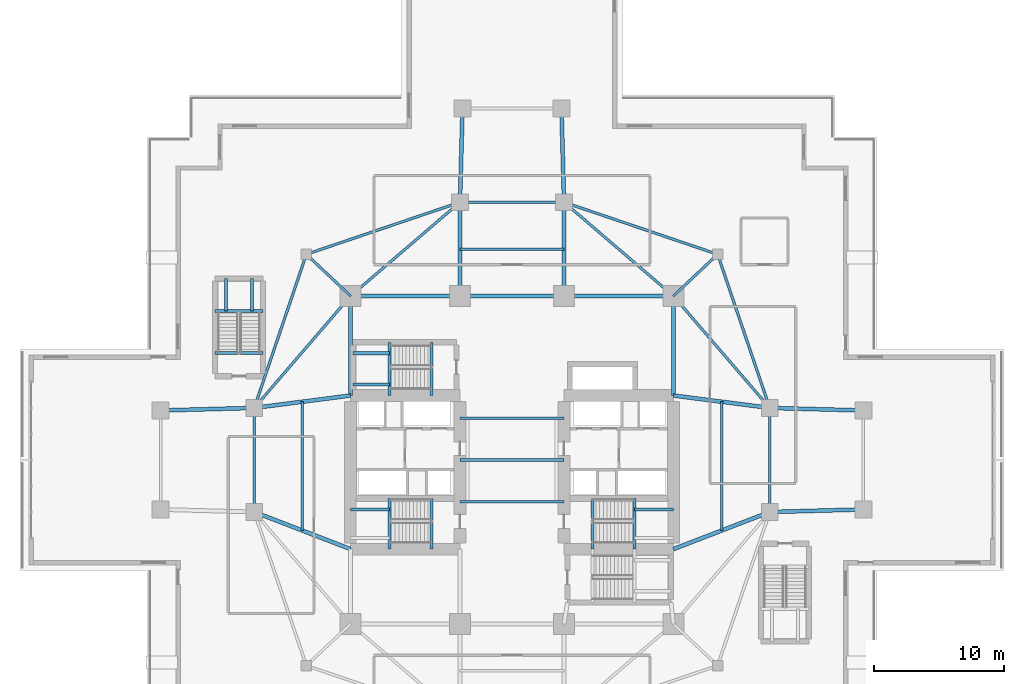
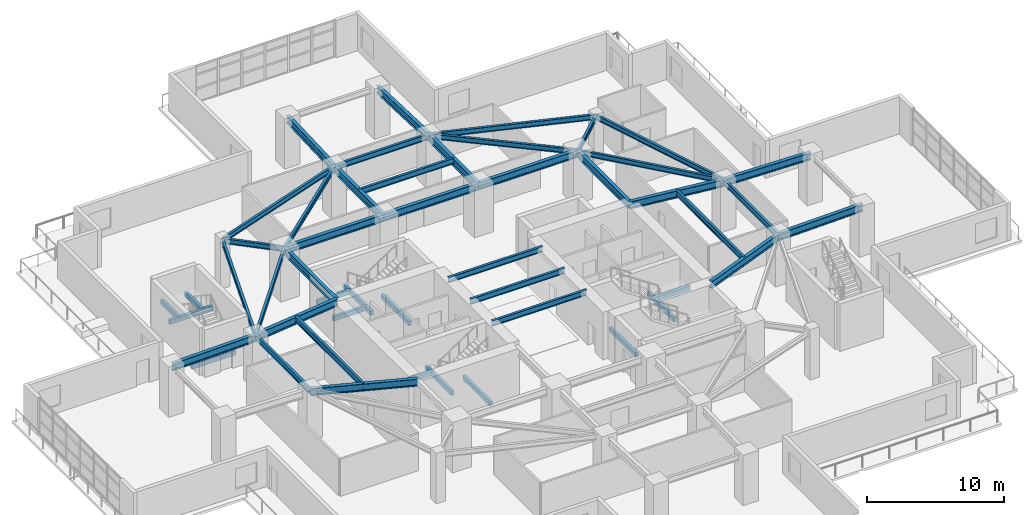
# One storey, part 10 of 24: 49 beams.
"""IFC4 building model written with IfcOpenShell, lengths in metres."""

from ifc_helpers import new_model, si_unit, direction, frame, origin, origin_2d, place, context, subcontext, project, spatial, rectangle, i_section, extrude, material, material_profile, profile_set, type_object, element, save


model = new_model("IFC4")

# Units and contexts
model_context = context("Model", 3, precision=1e-05, world=origin(), true_north=direction((0.0, 1.0)))
body_context = subcontext(model_context, "Body", "Model", "MODEL_VIEW")
ifc_project = project(units=[si_unit("LENGTHUNIT", "METRE"), si_unit("AREAUNIT", "SQUARE_METRE"), si_unit("VOLUMEUNIT", "CUBIC_METRE"), si_unit("PLANEANGLEUNIT", "RADIAN"), si_unit("MASSUNIT", "GRAM", prefix="KILO")], contexts=[model_context])

# Site, building, storey
site_placement = place(None, origin())
site = spatial("IfcSite", under=ifc_project, at=site_placement, CompositionType="ELEMENT")
building_placement = place(site_placement, origin())
building = spatial("IfcBuilding", under=site, at=building_placement, Name="Qingluan Cross Belvedere", CompositionType="ELEMENT")
storey_placement = place(building_placement, frame((0.0, 0.0, 14.699951171875)))
storey = spatial("IfcBuildingStorey", under=building, at=storey_placement, Name="L04", CompositionType="ELEMENT", Elevation=14.699951171875)

# Beams
ifc_material_1 = material(Name="Concrete C45", Category="concrete")
ifc_material_profile_1 = material_profile(ifc_material_1, rectangle(XDim=0.25, YDim=0.39990234375, at=origin_2d()), Name="RC250x400")
ifc_profile_set_1 = profile_set([ifc_material_profile_1], Name="Concrete C45")
beam_type_1 = type_object("IfcBeamType", Name="RC_Lintel_RC250x400", PredefinedType="LINTEL", material=ifc_profile_set_1)
for number, where, z_axis, x_axis, name in (
    (1, (-6.179931640625, -6.85009765625, -0.199951171875), (0.0, 1.0, 0.0), (-1.0, 0.0, 0.0), "Stair ST1 landing beam L04"),
    (2, (6.179931640625, -6.85009765625, -0.199951171875), (0.0, 1.0, 0.0), (-1.0, 0.0, 0.0), "Stair ST2 landing beam L04"),
):
    element("IfcBeam", number, at=place(storey_placement, frame(where, z_axis=z_axis, x_axis=x_axis)), inside=storey, type_object=beam_type_1, Name=name, PredefinedType="LINTEL", context=body_context, shape_type="SweptSolid", body=[
        extrude(rectangle(XDim=0.25, YDim=0.39990234375, at=origin_2d()), origin(), (0.0, 0.0, 1.0), 3.89013671875),
    ])
beam_1_placement = place(storey_placement, frame((-6.179931640625, 4.949951171875, -0.199951171875), z_axis=(0.0, 1.0, 0.0), x_axis=(-1.0, 0.0, 0.0)))
element("IfcBeam", 3, at=beam_1_placement, inside=storey, type_object=beam_type_1, Name="Stair ST3 landing beam L04", PredefinedType="LINTEL", context=body_context, shape_type="SweptSolid", body=[
    extrude(rectangle(XDim=0.25, YDim=0.39990234375, at=origin_2d()), origin(), (0.0, 0.0, 1.0), 4.090087890625),
])
beam_2_placement = place(storey_placement, frame((-22.820068359375, 8.2099609375, -0.199951171875), z_axis=(1.0, 0.0, 0.0), x_axis=(0.0, 1.0, 0.0)))
element("IfcBeam", 4, at=beam_2_placement, inside=storey, type_object=beam_type_1, Name="Stair ST5 landing beam L04", PredefinedType="LINTEL", context=body_context, shape_type="SweptSolid", body=[
    extrude(rectangle(XDim=0.25, YDim=0.39990234375, at=origin_2d()), origin(), (0.0, 0.0, 1.0), 3.699951171875),
])
beam_3_placement = place(storey_placement, frame((-9.409912109375, -6.85009765625, 1.85009765625), z_axis=(0.0, 1.0, 0.0), x_axis=(-1.0, 0.0, 0.0)))
element("IfcBeam", 5, at=beam_3_placement, inside=storey, type_object=beam_type_1, Name="Stair ST1 beam A L04", PredefinedType="LINTEL", context=body_context, shape_type="SweptSolid", body=[
    extrude(rectangle(XDim=0.25, YDim=0.39990234375, at=origin_2d()), origin(), (0.0, 0.0, 1.0), 3.89013671875),
])
beam_4_placement = place(storey_placement, frame((-12.39990234375, -3.81005859375, 1.85009765625), z_axis=(1.0, 0.0, 0.0), x_axis=(0.0, 1.0, 0.0)))
element("IfcBeam", 6, at=beam_4_placement, inside=storey, type_object=beam_type_1, Name="Stair ST1 beam C L04", PredefinedType="LINTEL", context=body_context, shape_type="SweptSolid", body=[
    extrude(rectangle(XDim=0.25, YDim=0.39990234375, at=origin_2d()), origin(), (0.0, 0.0, 1.0), 2.989990234375),
])
beam_5_placement = place(storey_placement, frame((9.409912109375, -6.85009765625, 1.85009765625), z_axis=(0.0, 1.0, 0.0), x_axis=(-1.0, 0.0, 0.0)))
element("IfcBeam", 7, at=beam_5_placement, inside=storey, type_object=beam_type_1, Name="Stair ST2 beam A L04", PredefinedType="LINTEL", context=body_context, shape_type="SweptSolid", body=[
    extrude(rectangle(XDim=0.25, YDim=0.39990234375, at=origin_2d()), origin(), (0.0, 0.0, 1.0), 3.89013671875),
])
beam_6_placement = place(storey_placement, frame((12.39990234375, -3.81005859375, 1.85009765625), z_axis=(-1.0, 0.0, 0.0), x_axis=(0.0, -1.0, 0.0)))
element("IfcBeam", 8, at=beam_6_placement, inside=storey, type_object=beam_type_1, Name="Stair ST2 beam C L04", PredefinedType="LINTEL", context=body_context, shape_type="SweptSolid", body=[
    extrude(rectangle(XDim=0.25, YDim=0.39990234375, at=origin_2d()), origin(), (0.0, 0.0, 1.0), 2.989990234375),
])
beam_7_placement = place(storey_placement, frame((-9.409912109375, 4.949951171875, 1.85009765625), z_axis=(0.0, 1.0, 0.0), x_axis=(-1.0, 0.0, 0.0)))
element("IfcBeam", 9, at=beam_7_placement, inside=storey, type_object=beam_type_1, Name="Stair ST3 beam A L04", PredefinedType="LINTEL", context=body_context, shape_type="SweptSolid", body=[
    extrude(rectangle(XDim=0.25, YDim=0.39990234375, at=origin_2d()), origin(), (0.0, 0.0, 1.0), 4.090087890625),
])
for number, where, z_axis, x_axis, name in (
    (10, (-12.219970703125, 5.800048828125, 1.85009765625), (1.0, 0.0, 0.0), (0.0, 1.0, 0.0), "Stair ST3 beam B L04"),
    (11, (-12.219970703125, 8.18994140625, 1.85009765625), (1.0, 0.0, 0.0), (0.0, 1.0, 0.0), "Stair ST3 beam C L04"),
):
    element("IfcBeam", number, at=place(storey_placement, frame(where, z_axis=z_axis, x_axis=x_axis)), inside=storey, type_object=beam_type_1, Name=name, PredefinedType="LINTEL", context=body_context, shape_type="SweptSolid", body=[
        extrude(rectangle(XDim=0.25, YDim=0.39990234375, at=origin_2d()), origin(), (0.0, 0.0, 1.0), 2.81005859375),
    ])
beam_8_placement = place(storey_placement, frame((-22.820068359375, 11.43994140625, 1.85009765625), z_axis=(1.0, 0.0, 0.0), x_axis=(0.0, 1.0, 0.0)))
element("IfcBeam", 12, at=beam_8_placement, inside=storey, type_object=beam_type_1, Name="Stair ST5 beam A L04", PredefinedType="LINTEL", context=body_context, shape_type="SweptSolid", body=[
    extrude(rectangle(XDim=0.25, YDim=0.39990234375, at=origin_2d()), origin(), (0.0, 0.0, 1.0), 3.699951171875),
])
for number, where, z_axis, x_axis, name in (
    (13, (-21.969970703125, 13.949951171875, 1.85009765625), (0.0, -1.0, 0.0), (1.0, 0.0, 0.0), "Stair ST5 beam B L04"),
    (14, (-19.969970703125, 13.949951171875, 1.85009765625), (0.0, -1.0, 0.0), (1.0, 0.0, 0.0), "Stair ST5 beam C L04"),
):
    element("IfcBeam", number, at=place(storey_placement, frame(where, z_axis=z_axis, x_axis=x_axis)), inside=storey, type_object=beam_type_1, Name=name, PredefinedType="LINTEL", context=body_context, shape_type="SweptSolid", body=[
        extrude(rectangle(XDim=0.25, YDim=0.39990234375, at=origin_2d()), origin(), (0.0, 0.0, 1.0), 2.510009765625),
    ])
ifc_material_2 = material(Name="Steel Q420GJB", Category="steel")
ifc_material_profile_2 = material_profile(ifc_material_2, i_section(OverallWidth=0.199951171875, OverallDepth=0.449951171875, WebThickness=0.009033203125, FlangeThickness=0.013916015625, FilletRadius=0.01611328125, at=origin_2d()), Name="HN450x200x9x14")
ifc_profile_set_2 = profile_set([ifc_material_profile_2], Name="Steel Q420GJB")
beam_type_2 = type_object("IfcBeamType", Name="Steel_Beam_HN450x200x9x14", PredefinedType="JOIST", material=ifc_profile_set_2)
beam_9_placement = place(storey_placement, frame((12.39990234375, 12.60009765625, 4.025146484375), z_axis=(0.728219948308, 0.685343495546, 0.0), x_axis=(-0.685343495546, 0.728219948308, 0.0)))
element("IfcBeam", 15, at=beam_9_placement, inside=storey, type_object=beam_type_2, Name="Corner beam 1 L04-RNE", PredefinedType="JOIST", context=body_context, shape_type="SweptSolid", body=[
    extrude(i_section(OverallWidth=0.199951171875, OverallDepth=0.449951171875, WebThickness=0.009033203125, FlangeThickness=0.013916015625, FilletRadius=0.01611328125, at=origin_2d()), origin(), (0.0, 0.0, 1.0), 4.669189453125),
])
for number, where, z_axis, x_axis, name in (
    (16, (15.800048828125, 15.800048828125, 4.025146484375), (-0.947066283324, 0.321038089628, 0.0), (-0.321038089628, -0.947066283324, 0.0), "Corner beam 2 L04-RNE"),
    (17, (15.800048828125, 15.800048828125, 4.025146484375), (0.321038089628, -0.947066283324, 0.0), (0.947066283324, 0.321038089628, 0.0), "Corner beam 3 L04-RNE"),
):
    element("IfcBeam", number, at=place(storey_placement, frame(where, z_axis=z_axis, x_axis=x_axis)), inside=storey, type_object=beam_type_2, Name=name, PredefinedType="JOIST", context=body_context, shape_type="SweptSolid", body=[
        extrude(i_section(OverallWidth=0.199951171875, OverallDepth=0.449951171875, WebThickness=0.009033203125, FlangeThickness=0.013916015625, FilletRadius=0.01611328125, at=origin_2d()), origin(), (0.0, 0.0, 1.0), 12.45947265625),
    ])
beam_10_placement = place(storey_placement, frame((12.39990234375, 12.60009765625, 4.025146484375), z_axis=(0.652245077546, -0.75800815221, 0.0), x_axis=(0.75800815221, 0.652245077546, 0.0)))
element("IfcBeam", 18, at=beam_10_placement, inside=storey, type_object=beam_type_2, Name="Corner beam 4 L04-RNE", PredefinedType="JOIST", context=body_context, shape_type="SweptSolid", body=[
    extrude(i_section(OverallWidth=0.199951171875, OverallDepth=0.449951171875, WebThickness=0.009033203125, FlangeThickness=0.013916015625, FilletRadius=0.01611328125, at=origin_2d()), origin(), (0.0, 0.0, 1.0), 11.345703125),
])
beam_11_placement = place(storey_placement, frame((12.39990234375, 12.60009765625, 4.025146484375), z_axis=(-0.759255044656, 0.650793190779, 0.0), x_axis=(-0.650793190779, -0.759255044656, 0.0)))
element("IfcBeam", 19, at=beam_11_placement, inside=storey, type_object=beam_type_2, Name="Corner beam 5 L04-RNE", PredefinedType="JOIST", context=body_context, shape_type="SweptSolid", body=[
    extrude(i_section(OverallWidth=0.199951171875, OverallDepth=0.449951171875, WebThickness=0.009033203125, FlangeThickness=0.013916015625, FilletRadius=0.01611328125, at=origin_2d()), origin(), (0.0, 0.0, 1.0), 11.063232421875),
])
beam_12_placement = place(storey_placement, frame((-12.39990234375, 12.60009765625, 4.025146484375), z_axis=(-0.728219948308, 0.685343495546, 0.0), x_axis=(-0.685343495546, -0.728219948308, 0.0)))
element("IfcBeam", 20, at=beam_12_placement, inside=storey, type_object=beam_type_2, Name="Corner beam 1 L04-RNW", PredefinedType="JOIST", context=body_context, shape_type="SweptSolid", body=[
    extrude(i_section(OverallWidth=0.199951171875, OverallDepth=0.449951171875, WebThickness=0.009033203125, FlangeThickness=0.013916015625, FilletRadius=0.01611328125, at=origin_2d()), origin(), (0.0, 0.0, 1.0), 4.669189453125),
])
for number, where, z_axis, x_axis, name in (
    (21, (-15.800048828125, 15.800048828125, 4.025146484375), (0.947066283324, 0.321038089628, 0.0), (-0.321038089628, 0.947066283324, 0.0), "Corner beam 2 L04-RNW"),
    (22, (-15.800048828125, 15.800048828125, 4.025146484375), (-0.321038089628, -0.947066283324, 0.0), (0.947066283324, -0.321038089628, 0.0), "Corner beam 3 L04-RNW"),
):
    element("IfcBeam", number, at=place(storey_placement, frame(where, z_axis=z_axis, x_axis=x_axis)), inside=storey, type_object=beam_type_2, Name=name, PredefinedType="JOIST", context=body_context, shape_type="SweptSolid", body=[
        extrude(i_section(OverallWidth=0.199951171875, OverallDepth=0.449951171875, WebThickness=0.009033203125, FlangeThickness=0.013916015625, FilletRadius=0.01611328125, at=origin_2d()), origin(), (0.0, 0.0, 1.0), 12.45947265625),
    ])
beam_13_placement = place(storey_placement, frame((-12.39990234375, 12.60009765625, 4.025146484375), z_axis=(-0.652245077546, -0.75800815221, 0.0), x_axis=(0.75800815221, -0.652245077546, 0.0)))
element("IfcBeam", 23, at=beam_13_placement, inside=storey, type_object=beam_type_2, Name="Corner beam 4 L04-RNW", PredefinedType="JOIST", context=body_context, shape_type="SweptSolid", body=[
    extrude(i_section(OverallWidth=0.199951171875, OverallDepth=0.449951171875, WebThickness=0.009033203125, FlangeThickness=0.013916015625, FilletRadius=0.01611328125, at=origin_2d()), origin(), (0.0, 0.0, 1.0), 11.345703125),
])
beam_14_placement = place(storey_placement, frame((-12.39990234375, 12.60009765625, 4.025146484375), z_axis=(0.759255044656, 0.650793190779, 0.0), x_axis=(-0.650793190779, 0.759255044656, 0.0)))
element("IfcBeam", 24, at=beam_14_placement, inside=storey, type_object=beam_type_2, Name="Corner beam 5 L04-RNW", PredefinedType="JOIST", context=body_context, shape_type="SweptSolid", body=[
    extrude(i_section(OverallWidth=0.199951171875, OverallDepth=0.449951171875, WebThickness=0.009033203125, FlangeThickness=0.013916015625, FilletRadius=0.01611328125, at=origin_2d()), origin(), (0.0, 0.0, 1.0), 11.063232421875),
])
ifc_material_3 = material(Name="Steel Q420GJB", Category="steel")
ifc_material_profile_3 = material_profile(ifc_material_3, i_section(OverallWidth=0.199951171875, OverallDepth=0.5, WebThickness=0.010009765625, FlangeThickness=0.01611328125, FilletRadius=0.01611328125, at=origin_2d()), Name="HN500x200x10x16")
ifc_profile_set_3 = profile_set([ifc_material_profile_3], Name="Steel Q420GJB")
beam_type_3 = type_object("IfcBeamType", Name="Steel_Beam_HN500x200x10x16", PredefinedType="JOIST", material=ifc_profile_set_3)
for number, where, z_axis, x_axis, name in (
    (25, (-4.0, -3.199951171875, 4.0), (1.0, 0.0, 0.0), (0.0, 1.0, 0.0), "Hall beam L04-CH1"),
    (26, (-4.0, 0.0, 4.0), (1.0, 0.0, 0.0), (0.0, 1.0, 0.0), "Hall beam L04-CH2"),
    (27, (-4.0, 3.199951171875, 4.0), (1.0, 0.0, 0.0), (0.0, 1.0, 0.0), "Hall beam L04-CH3"),
    (28, (19.800048828125, -4.0, 4.0), (0.0, 1.0, 0.0), (-1.0, 0.0, 0.0), "Arm E tie L04"),
):
    element("IfcBeam", number, at=place(storey_placement, frame(where, z_axis=z_axis, x_axis=x_axis)), inside=storey, type_object=beam_type_3, Name=name, PredefinedType="JOIST", context=body_context, shape_type="SweptSolid", body=[
        extrude(i_section(OverallWidth=0.199951171875, OverallDepth=0.5, WebThickness=0.010009765625, FlangeThickness=0.01611328125, FilletRadius=0.01611328125, at=origin_2d()), origin(), (0.0, 0.0, 1.0), 8.0),
    ])
beam_15_placement = place(storey_placement, frame((16.10009765625, -5.425048828125, 4.0), z_axis=(0.0, 1.0, 0.0), x_axis=(-1.0, 0.0, 0.0)))
element("IfcBeam", 29, at=beam_15_placement, inside=storey, type_object=beam_type_3, Name="Arm E beam L04", PredefinedType="JOIST", context=body_context, shape_type="SweptSolid", body=[
    extrude(i_section(OverallWidth=0.199951171875, OverallDepth=0.5, WebThickness=0.010009765625, FlangeThickness=0.01611328125, FilletRadius=0.01611328125, at=origin_2d()), origin(), (0.0, 0.0, 1.0), 9.900146484375),
])
beam_16_placement = place(storey_placement, frame((-19.800048828125, -4.0, 4.0), z_axis=(0.0, 1.0, 0.0), x_axis=(-1.0, 0.0, 0.0)))
element("IfcBeam", 30, at=beam_16_placement, inside=storey, type_object=beam_type_3, Name="Arm W tie L04", PredefinedType="JOIST", context=body_context, shape_type="SweptSolid", body=[
    extrude(i_section(OverallWidth=0.199951171875, OverallDepth=0.5, WebThickness=0.010009765625, FlangeThickness=0.01611328125, FilletRadius=0.01611328125, at=origin_2d()), origin(), (0.0, 0.0, 1.0), 8.0),
])
beam_17_placement = place(storey_placement, frame((-16.10009765625, -5.425048828125, 4.0), z_axis=(0.0, 1.0, 0.0), x_axis=(-1.0, 0.0, 0.0)))
element("IfcBeam", 31, at=beam_17_placement, inside=storey, type_object=beam_type_3, Name="Arm W beam L04", PredefinedType="JOIST", context=body_context, shape_type="SweptSolid", body=[
    extrude(i_section(OverallWidth=0.199951171875, OverallDepth=0.5, WebThickness=0.010009765625, FlangeThickness=0.01611328125, FilletRadius=0.01611328125, at=origin_2d()), origin(), (0.0, 0.0, 1.0), 9.900146484375),
])
for number, where, z_axis, x_axis, name in (
    (32, (-4.0, 19.800048828125, 4.0), (1.0, 0.0, 0.0), (0.0, 1.0, 0.0), "Arm N tie L04"),
    (33, (-4.0, 16.199951171875, 4.0), (1.0, 0.0, 0.0), (0.0, 1.0, 0.0), "Arm N beam L04"),
):
    element("IfcBeam", number, at=place(storey_placement, frame(where, z_axis=z_axis, x_axis=x_axis)), inside=storey, type_object=beam_type_3, Name=name, PredefinedType="JOIST", context=body_context, shape_type="SweptSolid", body=[
        extrude(i_section(OverallWidth=0.199951171875, OverallDepth=0.5, WebThickness=0.010009765625, FlangeThickness=0.01611328125, FilletRadius=0.01611328125, at=origin_2d()), origin(), (0.0, 0.0, 1.0), 8.0),
    ])
ifc_material_4 = material(Name="Steel Q420GJB", Category="steel")
ifc_material_profile_4 = material_profile(ifc_material_4, i_section(OverallWidth=0.300048828125, OverallDepth=0.64990234375, WebThickness=0.014404296875, FlangeThickness=0.02587890625, FilletRadius=0.027099609375, at=origin_2d()), Name="HEB650")
ifc_profile_set_4 = profile_set([ifc_material_profile_4], Name="Steel Q420GJB")
beam_type_4 = type_object("IfcBeamType", Name="Steel_Girder_HEB650", PredefinedType="USERDEFINED", material=ifc_profile_set_4)
beam_18_placement = place(storey_placement, frame((-12.39990234375, 12.60009765625, 3.925048828125), z_axis=(1.0, 0.0, 0.0), x_axis=(0.0, 1.0, 0.0)))
element("IfcBeam", 34, at=beam_18_placement, inside=storey, type_object=beam_type_4, Name="Hub girder L04-HG-N1", ObjectType="GIRDER", PredefinedType="USERDEFINED", context=body_context, shape_type="SweptSolid", body=[
    extrude(i_section(OverallWidth=0.300048828125, OverallDepth=0.64990234375, WebThickness=0.014404296875, FlangeThickness=0.02587890625, FilletRadius=0.027099609375, at=origin_2d()), origin(), (0.0, 0.0, 1.0), 8.39990234375),
])
beam_19_placement = place(storey_placement, frame((-4.0, 12.60009765625, 3.925048828125), z_axis=(1.0, 0.0, 0.0), x_axis=(0.0, 1.0, 0.0)))
element("IfcBeam", 35, at=beam_19_placement, inside=storey, type_object=beam_type_4, Name="Hub girder L04-HG-N2", ObjectType="GIRDER", PredefinedType="USERDEFINED", context=body_context, shape_type="SweptSolid", body=[
    extrude(i_section(OverallWidth=0.300048828125, OverallDepth=0.64990234375, WebThickness=0.014404296875, FlangeThickness=0.02587890625, FilletRadius=0.027099609375, at=origin_2d()), origin(), (0.0, 0.0, 1.0), 8.0),
])
beam_20_placement = place(storey_placement, frame((4.0, 12.60009765625, 3.925048828125), z_axis=(1.0, 0.0, 0.0), x_axis=(0.0, 1.0, 0.0)))
element("IfcBeam", 36, at=beam_20_placement, inside=storey, type_object=beam_type_4, Name="Hub girder L04-HG-N3", ObjectType="GIRDER", PredefinedType="USERDEFINED", context=body_context, shape_type="SweptSolid", body=[
    extrude(i_section(OverallWidth=0.300048828125, OverallDepth=0.64990234375, WebThickness=0.014404296875, FlangeThickness=0.02587890625, FilletRadius=0.027099609375, at=origin_2d()), origin(), (0.0, 0.0, 1.0), 8.39990234375),
])
for number, where, z_axis, x_axis, name in (
    (37, (-12.39990234375, 4.949951171875, 3.925048828125), (0.0, 1.0, 0.0), (-1.0, 0.0, 0.0), "Hub girder L04-HG-W2"),
    (38, (12.39990234375, 4.949951171875, 3.925048828125), (0.0, 1.0, 0.0), (-1.0, 0.0, 0.0), "Hub girder L04-HG-E2"),
):
    element("IfcBeam", number, at=place(storey_placement, frame(where, z_axis=z_axis, x_axis=x_axis)), inside=storey, type_object=beam_type_4, Name=name, ObjectType="GIRDER", PredefinedType="USERDEFINED", context=body_context, shape_type="SweptSolid", body=[
        extrude(i_section(OverallWidth=0.300048828125, OverallDepth=0.64990234375, WebThickness=0.014404296875, FlangeThickness=0.02587890625, FilletRadius=0.027099609375, at=origin_2d()), origin(), (0.0, 0.0, 1.0), 7.650146484375),
    ])
beam_21_placement = place(storey_placement, frame((12.39990234375, -6.85009765625, 3.925048828125), z_axis=(0.933181258889, 0.359406090735, 0.0), x_axis=(-0.359406090735, 0.933181258889, 0.0)))
element("IfcBeam", 39, at=beam_21_placement, inside=storey, type_object=beam_type_4, Name="Arm E radial girder A L04", ObjectType="GIRDER", PredefinedType="USERDEFINED", context=body_context, shape_type="SweptSolid", body=[
    extrude(i_section(OverallWidth=0.300048828125, OverallDepth=0.64990234375, WebThickness=0.014404296875, FlangeThickness=0.02587890625, FilletRadius=0.027099609375, at=origin_2d()), origin(), (0.0, 0.0, 1.0), 7.929931640625),
])
beam_22_placement = place(storey_placement, frame((12.39990234375, 4.949951171875, 3.925048828125), z_axis=(0.991861120628, -0.12732445714, 0.0), x_axis=(0.12732445714, 0.991861120628, 0.0)))
element("IfcBeam", 40, at=beam_22_placement, inside=storey, type_object=beam_type_4, Name="Arm E radial girder B L04", ObjectType="GIRDER", PredefinedType="USERDEFINED", context=body_context, shape_type="SweptSolid", body=[
    extrude(i_section(OverallWidth=0.300048828125, OverallDepth=0.64990234375, WebThickness=0.014404296875, FlangeThickness=0.02587890625, FilletRadius=0.027099609375, at=origin_2d()), origin(), (0.0, 0.0, 1.0), 7.4609375),
])
for number, where, z_axis, x_axis, name in (
    (41, (19.800048828125, -4.0, 3.925048828125), (0.999614603568, 0.027760481514, 0.0), (-0.027760481514, 0.999614603568, 0.0), "Arm E outer radial girder A L04"),
    (42, (19.800048828125, 4.0, 3.925048828125), (0.999614603568, -0.027760481514, 0.0), (0.027760481514, 0.999614603568, 0.0), "Arm E outer radial girder B L04"),
):
    element("IfcBeam", number, at=place(storey_placement, frame(where, z_axis=z_axis, x_axis=x_axis)), inside=storey, type_object=beam_type_4, Name=name, ObjectType="GIRDER", PredefinedType="USERDEFINED", context=body_context, shape_type="SweptSolid", body=[
        extrude(i_section(OverallWidth=0.300048828125, OverallDepth=0.64990234375, WebThickness=0.014404296875, FlangeThickness=0.02587890625, FilletRadius=0.027099609375, at=origin_2d()), origin(), (0.0, 0.0, 1.0), 7.20263671875),
    ])
beam_23_placement = place(storey_placement, frame((-12.39990234375, -6.85009765625, 3.925048828125), z_axis=(-0.933181258889, 0.359406090735, 0.0), x_axis=(-0.359406090735, -0.933181258889, 0.0)))
element("IfcBeam", 43, at=beam_23_placement, inside=storey, type_object=beam_type_4, Name="Arm W radial girder A L04", ObjectType="GIRDER", PredefinedType="USERDEFINED", context=body_context, shape_type="SweptSolid", body=[
    extrude(i_section(OverallWidth=0.300048828125, OverallDepth=0.64990234375, WebThickness=0.014404296875, FlangeThickness=0.02587890625, FilletRadius=0.027099609375, at=origin_2d()), origin(), (0.0, 0.0, 1.0), 7.929931640625),
])
beam_24_placement = place(storey_placement, frame((-12.39990234375, 4.949951171875, 3.925048828125), z_axis=(-0.991861120628, -0.12732445714, 0.0), x_axis=(0.12732445714, -0.991861120628, 0.0)))
element("IfcBeam", 44, at=beam_24_placement, inside=storey, type_object=beam_type_4, Name="Arm W radial girder B L04", ObjectType="GIRDER", PredefinedType="USERDEFINED", context=body_context, shape_type="SweptSolid", body=[
    extrude(i_section(OverallWidth=0.300048828125, OverallDepth=0.64990234375, WebThickness=0.014404296875, FlangeThickness=0.02587890625, FilletRadius=0.027099609375, at=origin_2d()), origin(), (0.0, 0.0, 1.0), 7.4609375),
])
beam_25_placement = place(storey_placement, frame((-19.800048828125, 4.0, 3.925048828125), z_axis=(-0.999614603568, -0.027760481514, 0.0), x_axis=(0.027760481514, -0.999614603568, 0.0)))
element("IfcBeam", 45, at=beam_25_placement, inside=storey, type_object=beam_type_4, Name="Arm W outer radial girder B L04", ObjectType="GIRDER", PredefinedType="USERDEFINED", context=body_context, shape_type="SweptSolid", body=[
    extrude(i_section(OverallWidth=0.300048828125, OverallDepth=0.64990234375, WebThickness=0.014404296875, FlangeThickness=0.02587890625, FilletRadius=0.027099609375, at=origin_2d()), origin(), (0.0, 0.0, 1.0), 7.20263671875),
])
for number, where, z_axis, x_axis, name in (
    (46, (-4.0, 12.60009765625, 3.925048828125), (0.0, 1.0, 0.0), (-1.0, 0.0, 0.0), "Arm N radial girder A L04"),
    (47, (4.0, 12.60009765625, 3.925048828125), (0.0, 1.0, 0.0), (-1.0, 0.0, 0.0), "Arm N radial girder B L04"),
):
    element("IfcBeam", number, at=place(storey_placement, frame(where, z_axis=z_axis, x_axis=x_axis)), inside=storey, type_object=beam_type_4, Name=name, ObjectType="GIRDER", PredefinedType="USERDEFINED", context=body_context, shape_type="SweptSolid", body=[
        extrude(i_section(OverallWidth=0.300048828125, OverallDepth=0.64990234375, WebThickness=0.014404296875, FlangeThickness=0.02587890625, FilletRadius=0.027099609375, at=origin_2d()), origin(), (0.0, 0.0, 1.0), 7.199951171875),
    ])
for number, where, z_axis, x_axis, name in (
    (48, (-4.0, 19.800048828125, 3.925048828125), (0.027760481514, 0.999614603568, 0.0), (-0.999614603568, 0.027760481514, 0.0), "Arm N outer radial girder A L04"),
    (49, (4.0, 19.800048828125, 3.925048828125), (-0.027760481514, 0.999614603568, 0.0), (-0.999614603568, -0.027760481514, 0.0), "Arm N outer radial girder B L04"),
):
    element("IfcBeam", number, at=place(storey_placement, frame(where, z_axis=z_axis, x_axis=x_axis)), inside=storey, type_object=beam_type_4, Name=name, ObjectType="GIRDER", PredefinedType="USERDEFINED", context=body_context, shape_type="SweptSolid", body=[
        extrude(i_section(OverallWidth=0.300048828125, OverallDepth=0.64990234375, WebThickness=0.014404296875, FlangeThickness=0.02587890625, FilletRadius=0.027099609375, at=origin_2d()), origin(), (0.0, 0.0, 1.0), 7.20263671875),
    ])

save(model, "model.ifc")
